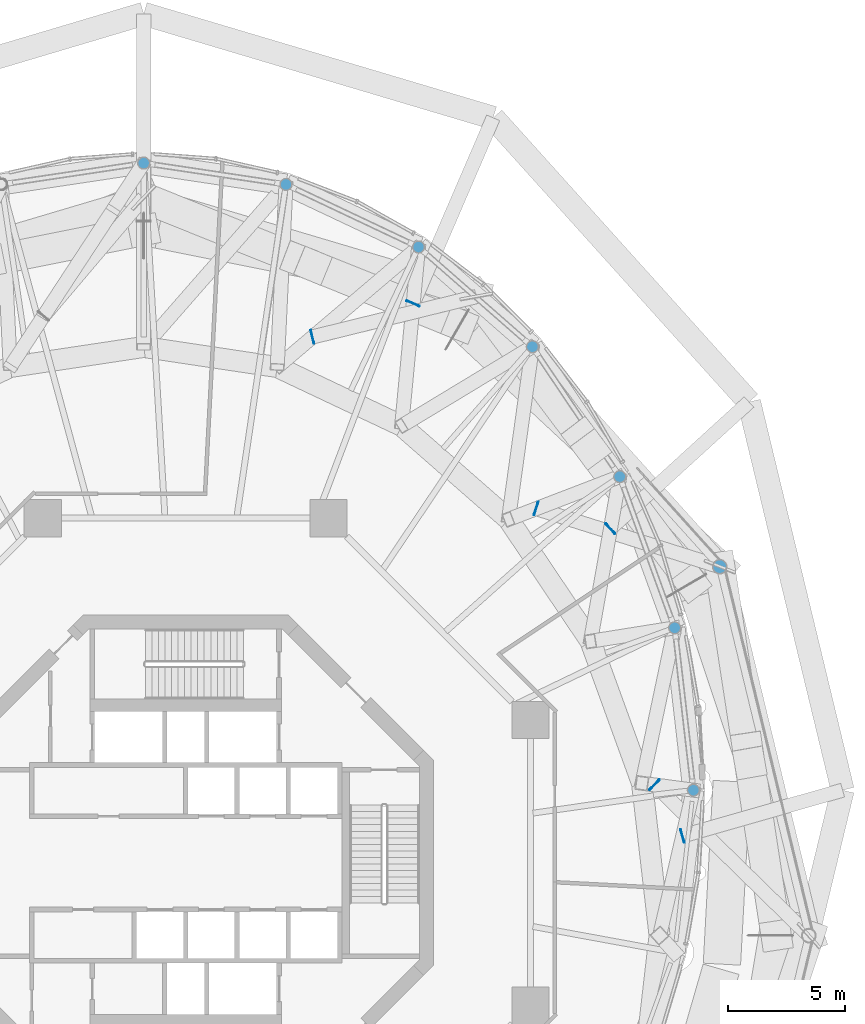
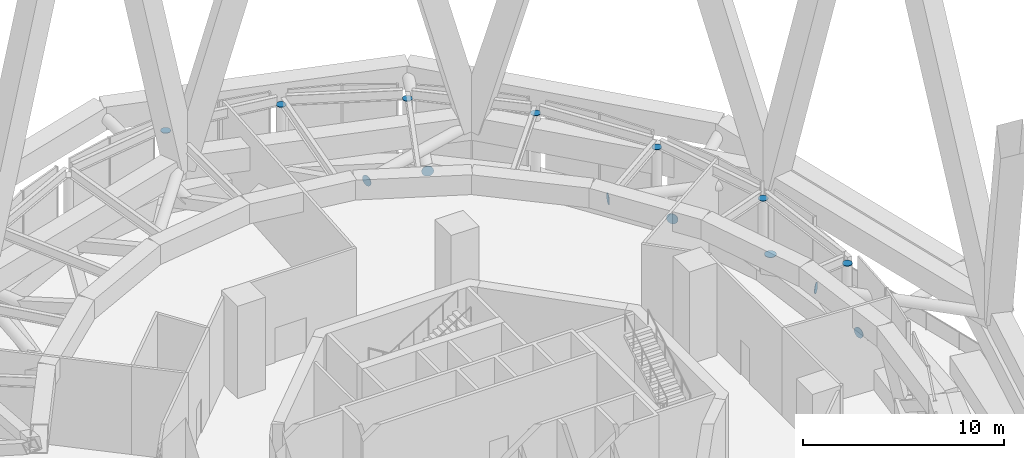
# One storey, part 46 of 48: 14 discrete accessories.
"""IFC4 building model written with IfcOpenShell, lengths in metres."""

from ifc_helpers import new_model, si_unit, direction, frame, origin, origin_2d, place, context, subcontext, project, spatial, circle, extrude, material, layer, layer_set, type_object, element, save


model = new_model("IFC4")

# Units and contexts
model_context = context("Model", 3, precision=1e-05, world=origin(), true_north=direction((0.0, 1.0)))
body_context = subcontext(model_context, "Body", "Model", "MODEL_VIEW")
ifc_project = project(units=[si_unit("LENGTHUNIT", "METRE"), si_unit("AREAUNIT", "SQUARE_METRE"), si_unit("VOLUMEUNIT", "CUBIC_METRE"), si_unit("PLANEANGLEUNIT", "RADIAN"), si_unit("MASSUNIT", "GRAM", prefix="KILO")], contexts=[model_context])

# Site, building, storey
site_placement = place(None, origin())
site = spatial("IfcSite", under=ifc_project, at=site_placement, CompositionType="ELEMENT")
building_placement = place(site_placement, origin())
building = spatial("IfcBuilding", under=site, at=building_placement, Name="Nagisa Residences", CompositionType="ELEMENT")
storey_placement = place(building_placement, frame((0.0, 0.0, 252.89990234375)))
storey = spatial("IfcBuildingStorey", under=building, at=storey_placement, Name="L64", CompositionType="ELEMENT", Elevation=252.89990234375)

# Discrete accessories
ifc_material_1 = material(Name="Steel ASTM A572 Gr 50", Category="steel")
ifc_layer_1 = layer(ifc_material_1, 0.030029296875)
ifc_layer_set_1 = layer_set([ifc_layer_1], Name="End plate")
discrete_accessory_type_1 = type_object("IfcDiscreteAccessoryType", Name="End plate", PredefinedType="ANCHORPLATE", material=ifc_layer_set_1)
discrete_accessory_1_placement = place(storey_placement, frame((22.89892578125, 12.702392578125, -0.889892578125), z_axis=(0.0, 0.0, -1.0), x_axis=(1.0, 0.0, 0.0)))
element("IfcDiscreteAccessory", 1, at=discrete_accessory_1_placement, inside=storey, type_object=discrete_accessory_type_1, Name="End plate DH502", PredefinedType="ANCHORPLATE", context=body_context, shape_type="SweptSolid", body=[
    extrude(circle(Radius=0.304931640625, at=origin_2d()), origin(), (0.0, 0.0, 1.0), 0.030029296875),
])
for number, where, z_axis, x_axis, name in (
    (2, (21.77001953125, 3.11767578125, 4.737060546875), (0.0, 0.0, 1.0), (1.0, 0.0, 0.0), "End plate GP501"),
    (3, (20.966796875, 10.077392578125, 4.737060546875), (0.0, 0.0, 1.0), (1.0, 0.0, 0.0), "End plate GP502"),
    (4, (18.6123046875, 16.562744140625, 4.737060546875), (0.0, 0.0, 1.0), (1.0, 0.0, 0.0), "End plate GP503"),
    (5, (14.866455078125, 22.1318359375, 4.737060546875), (0.0, 0.0, 1.0), (1.0, 0.0, 0.0), "End plate GP504"),
    (6, (9.985107421875, 26.405029296875, 4.737060546875), (0.0, 0.0, 1.0), (1.0, 0.0, 0.0), "End plate GP505"),
    (7, (4.30029296875, 29.091552734375, 4.737060546875), (0.0, 0.0, 1.0), (1.0, 0.0, 0.0), "End plate GP506"),
    (8, (-1.800048828125, 30.0078125, 4.737060546875), (0.0, 0.0, 1.0), (1.0, 0.0, 0.0), "End plate GP507"),
):
    element("IfcDiscreteAccessory", number, at=place(storey_placement, frame(where, z_axis=z_axis, x_axis=x_axis)), inside=storey, type_object=discrete_accessory_type_1, Name=name, PredefinedType="ANCHORPLATE", context=body_context, shape_type="SweptSolid", body=[
        extrude(circle(Radius=0.25390625, at=origin_2d()), origin(), (0.0, 0.0, 1.0), 0.030029296875),
    ])
ifc_material_2 = material(Name="Steel ASTM A572 Gr 50", Category="steel")
ifc_layer_2 = layer(ifc_material_2, 0.030029296875)
ifc_layer_set_2 = layer_set([ifc_layer_2], Name="Node plate")
discrete_accessory_type_2 = type_object("IfcDiscreteAccessoryType", Name="Node plate", PredefinedType="ANCHORPLATE", material=ifc_layer_set_2)
for number, where, z_axis, x_axis, name in (
    (9, (21.314697265625, 1.15966796875, 1.900146484375), (-0.960906954427, -0.276871495343, 0.0), (0.276871495343, -0.960906954427, 0.0), "Node plate ST5A01"),
    (10, (18.218017578125, 14.345703125, 1.900146484375), (-0.738836941664, -0.673884243496, 0.0), (0.673884243496, -0.738836941664, 0.0), "Node plate ST5A02"),
    (11, (9.75732421875, 23.99853515625, 1.900146484375), (-0.397835276281, -0.917456861627, 0.0), (0.917456861627, -0.397835276281, 0.0), "Node plate ST5A03"),
    (12, (20.119873046875, 3.34033203125, 3.7001953125), (-0.715187202401, 0.698932947801, 0.0), (-0.698932947801, -0.715187202401, 0.0), "Node plate ST6B01"),
    (13, (15.039794921875, 15.190185546875, 3.7001953125), (-0.953459423273, 0.301521356078, 0.0), (-0.301521356078, -0.953459423273, 0.0), "Node plate ST6B02"),
):
    element("IfcDiscreteAccessory", number, at=place(storey_placement, frame(where, z_axis=z_axis, x_axis=x_axis)), inside=storey, type_object=discrete_accessory_type_2, Name=name, PredefinedType="ANCHORPLATE", context=body_context, shape_type="SweptSolid", body=[
        extrude(circle(Radius=0.304931640625, at=origin_2d()), origin(), (0.0, 0.0, 1.0), 0.030029296875),
    ])
discrete_accessory_2_placement = place(storey_placement, frame((5.447265625, 22.55419921875, 3.7001953125), z_axis=(-0.971566162385, -0.236768224447, 0.0), x_axis=(0.236768224447, -0.971566162385, 0.0)))
element("IfcDiscreteAccessory", 14, at=discrete_accessory_2_placement, inside=storey, type_object=discrete_accessory_type_2, Name="Node plate ST6B03", PredefinedType="ANCHORPLATE", context=body_context, shape_type="SweptSolid", body=[
    extrude(circle(Radius=0.304931640625, at=origin_2d()), origin(), (0.0, 0.0, 1.0), 0.02978515625),
])

save(model, "model.ifc")
